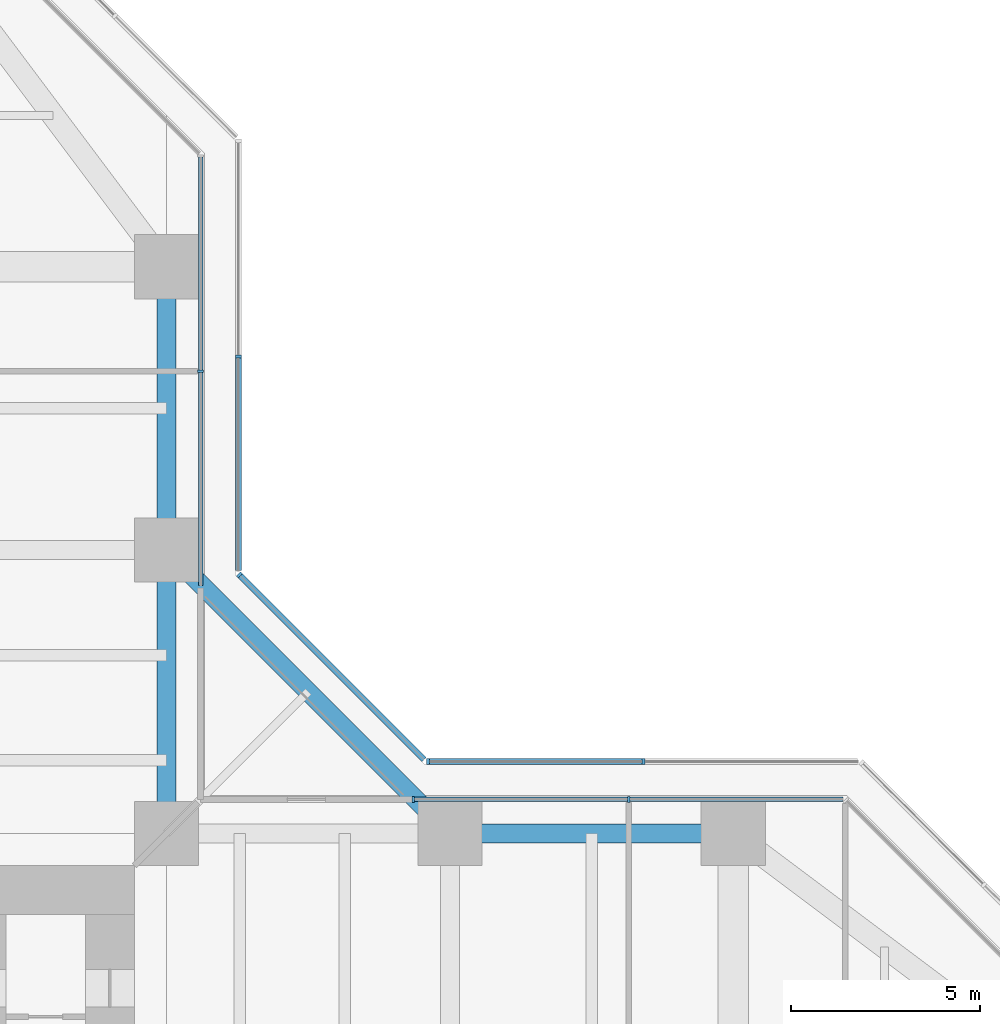
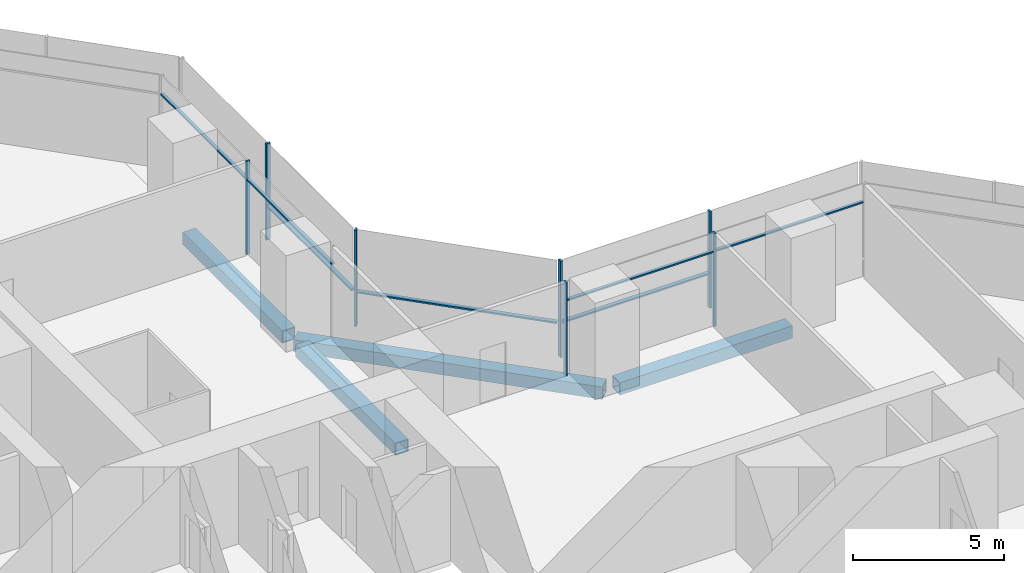
# One storey, part 11 of 22: 14 members, 4 beams, 5 elements without a shape of their own.
"""IFC4 building model written with IfcOpenShell, lengths in metres."""

from ifc_helpers import new_model, si_unit, direction, frame, origin, origin_2d, place, context, subcontext, project, spatial, rectangle, hollow_rectangle, extrude, material, material_profile, profile_set, type_object, element, aggregate, save


model = new_model("IFC4")

# Units and contexts
model_context = context("Model", 3, precision=1e-05, world=origin(), true_north=direction((0.0, 1.0)))
body_context = subcontext(model_context, "Body", "Model", "MODEL_VIEW")
ifc_project = project(units=[si_unit("LENGTHUNIT", "METRE"), si_unit("AREAUNIT", "SQUARE_METRE"), si_unit("VOLUMEUNIT", "CUBIC_METRE"), si_unit("PLANEANGLEUNIT", "RADIAN"), si_unit("MASSUNIT", "GRAM", prefix="KILO")], contexts=[model_context])

# Site, building, storey
site_placement = place(None, origin())
site = spatial("IfcSite", under=ifc_project, at=site_placement, CompositionType="ELEMENT")
building_placement = place(site_placement, origin())
building = spatial("IfcBuilding", under=site, at=building_placement, Name="Mizan Broadcast Tower", CompositionType="ELEMENT")
storey_placement = place(building_placement, frame((0.0, 0.0, 66.89990234375)))
storey = spatial("IfcBuildingStorey", under=building, at=storey_placement, Name="L13", CompositionType="ELEMENT", Elevation=66.89990234375)

# Beams
ifc_material_1 = material(Name="Steel S355", Category="steel")
ifc_material_profile_1 = material_profile(ifc_material_1, hollow_rectangle(XDim=0.5, YDim=0.5, WallThickness=0.030029296875, at=origin_2d()), Name="BOX 500x500x30")
ifc_profile_set_1 = profile_set([ifc_material_profile_1], Name="Steel S355")
beam_type = type_object("IfcBeamType", Name="EDGE BEAM BOX 500x500x30", PredefinedType="SPANDREL", material=ifc_profile_set_1)
for number, where, z_axis, x_axis, name in (
    (1, (19.949951171875, 12.0, -0.3798828125), (1.0, 0.0, 0.0), (0.0, 1.0, 0.0), "Edge beam BOX 500x500x30 L13 east arm"),
    (2, (12.0, 12.449951171875, -0.3798828125), (0.0, 1.0, 0.0), (-1.0, 0.0, 0.0), "Edge beam BOX 500x500x30 L13 north arm"),
    (3, (12.0, 19.949951171875, -0.3798828125), (0.0, 1.0, 0.0), (-1.0, 0.0, 0.0), "Edge beam BOX 500x500x30 L13 north arm"),
):
    element("IfcBeam", number, at=place(storey_placement, frame(where, z_axis=z_axis, x_axis=x_axis)), inside=storey, type_object=beam_type, Name=name, PredefinedType="SPANDREL", context=body_context, shape_type="SweptSolid", body=[
        extrude(hollow_rectangle(XDim=0.5, YDim=0.5, WallThickness=0.030029296875, at=origin_2d()), origin(), (0.0, 0.0, 1.0), 6.60009765625),
    ])
beam_placement = place(storey_placement, frame((19.5, 12.0, -0.3798828125), z_axis=(-0.707106781187, 0.707106781187, 0.0), x_axis=(-0.707106781187, -0.707106781187, 0.0)))
element("IfcBeam", 4, at=beam_placement, inside=storey, type_object=beam_type, Name="Winter garden edge beam L13 E", PredefinedType="SPANDREL", context=body_context, shape_type="SweptSolid", body=[
    extrude(hollow_rectangle(XDim=0.5, YDim=0.5, WallThickness=0.030029296875, at=origin_2d()), origin(), (0.0, 0.0, 1.0), 10.606689453125),
])

# Curtain wall, members
ifc_material_2 = material(Name="Aluminium framed glazing", Category="aluminium")
curtain_wall_type_1 = type_object("IfcCurtainWallType", Name="INNER SKIN LOW ZONE", PredefinedType="USERDEFINED", material=ifc_material_2)
curtain_wall_1_placement = place(storey_placement, origin())
curtain_wall_1 = element("IfcCurtainWall", 5, at=curtain_wall_1_placement, inside=storey, type_object=curtain_wall_type_1, Name="Inner skin low zone L13 E side", ObjectType="INNER SKIN LOW ZONE", PredefinedType="USERDEFINED")
ifc_material_3 = material(Name="Aluminium, pale anodised", Category="aluminium")
ifc_material_profile_2 = material_profile(ifc_material_3, rectangle(XDim=0.159912109375, YDim=0.06005859375, at=origin_2d()), Name="MULLION 160x60")
ifc_profile_set_2 = profile_set([ifc_material_profile_2], Name="Aluminium, pale anodised")
member_type_1 = type_object("IfcMemberType", Name="INNER SKIN MULLION 60x160", PredefinedType="MULLION", material=ifc_profile_set_2)
member_1_placement = place(storey_placement, frame((24.229248046875, 12.89990234375, 0.0), z_axis=(0.0, 0.0, 1.0), x_axis=(0.0, -1.0, 0.0)))
member_1 = element("IfcMember", 6, at=member_1_placement, type_object=member_type_1, Name="Inner skin low zone L13 E side mullion 2", PredefinedType="MULLION", context=body_context, shape_type="SweptSolid", body=[
    extrude(rectangle(XDim=0.159912109375, YDim=0.06005859375, at=origin_2d()), origin(), (0.0, 0.0, 1.0), 3.77001953125),
])
member_2_placement = place(storey_placement, frame((18.530029296875, 12.89990234375, 0.0), z_axis=(0.0, 0.0, 1.0), x_axis=(0.0, -1.0, 0.0)))
member_2 = element("IfcMember", 7, at=member_2_placement, type_object=member_type_1, Name="Inner skin low zone L13 E side mullion 3", PredefinedType="MULLION", context=body_context, shape_type="SweptSolid", body=[
    extrude(rectangle(XDim=0.159912109375, YDim=0.06005859375, at=origin_2d()), origin(), (0.0, 0.0, 1.0), 3.77001953125),
])

# Curtain wall, member
curtain_wall_2_placement = place(storey_placement, origin())
curtain_wall_2 = element("IfcCurtainWall", 8, at=curtain_wall_2_placement, inside=storey, type_object=curtain_wall_type_1, Name="Inner skin low zone L13 N side", ObjectType="INNER SKIN LOW ZONE", PredefinedType="USERDEFINED")
member_3_placement = place(storey_placement, frame((12.89990234375, 24.229248046875, 0.0), z_axis=(0.0, 0.0, 1.0), x_axis=(-1.0, 0.0, 0.0)))
member_3 = element("IfcMember", 9, at=member_3_placement, type_object=member_type_1, Name="Inner skin low zone L13 N side mullion 2", PredefinedType="MULLION", context=body_context, shape_type="SweptSolid", body=[
    extrude(rectangle(XDim=0.159912109375, YDim=0.06005859375, at=origin_2d()), origin(), (0.0, 0.0, 1.0), 3.77001953125),
])

# Member
ifc_material_4 = material(Name="Aluminium, pale anodised", Category="aluminium")
ifc_material_profile_3 = material_profile(ifc_material_4, rectangle(XDim=0.1201171875, YDim=0.06005859375, at=origin_2d()), Name="TRANSOM 120x60")
ifc_profile_set_3 = profile_set([ifc_material_profile_3], Name="Aluminium, pale anodised")
member_type_2 = type_object("IfcMemberType", Name="INNER SKIN TRANSOM 60x120", PredefinedType="USERDEFINED", material=ifc_profile_set_3)
member_4_placement = place(storey_placement, frame((29.898681640625, 12.89990234375, 3.030029296875), z_axis=(-1.0, 0.0, 0.0), x_axis=(0.0, -1.0, 0.0)))
member_4 = element("IfcMember", 10, at=member_4_placement, type_object=member_type_2, Name="Inner skin low zone L13 E side transom 1.1", ObjectType="TRANSOM", PredefinedType="USERDEFINED", context=body_context, shape_type="SweptSolid", body=[
    extrude(rectangle(XDim=0.1201171875, YDim=0.06005859375, at=origin_2d()), origin(), (0.0, 0.0, 1.0), 5.639404296875),
])

member_5_placement = place(storey_placement, frame((24.19921875, 12.89990234375, 3.030029296875), z_axis=(-1.0, 0.0, 0.0), x_axis=(0.0, -1.0, 0.0)))
member_5 = element("IfcMember", 11, at=member_5_placement, type_object=member_type_2, Name="Inner skin low zone L13 E side transom 2.1", ObjectType="TRANSOM", PredefinedType="USERDEFINED", context=body_context, shape_type="SweptSolid", body=[
    extrude(rectangle(XDim=0.1201171875, YDim=0.06005859375, at=origin_2d()), origin(), (0.0, 0.0, 1.0), 5.63916015625),
])

aggregate(curtain_wall_1, [member_1, member_2, member_4, member_5])

member_6_placement = place(storey_placement, frame((12.89990234375, 18.56005859375, 3.030029296875), z_axis=(0.0, 1.0, 0.0), x_axis=(-1.0, 0.0, 0.0)))
member_6 = element("IfcMember", 12, at=member_6_placement, type_object=member_type_2, Name="Inner skin low zone L13 N side transom 1.1", ObjectType="TRANSOM", PredefinedType="USERDEFINED", context=body_context, shape_type="SweptSolid", body=[
    extrude(rectangle(XDim=0.1201171875, YDim=0.06005859375, at=origin_2d()), origin(), (0.0, 0.0, 1.0), 5.63916015625),
])

member_7_placement = place(storey_placement, frame((12.89990234375, 24.25927734375, 3.030029296875), z_axis=(0.0, 1.0, 0.0), x_axis=(-1.0, 0.0, 0.0)))
member_7 = element("IfcMember", 13, at=member_7_placement, type_object=member_type_2, Name="Inner skin low zone L13 N side transom 2.1", ObjectType="TRANSOM", PredefinedType="USERDEFINED", context=body_context, shape_type="SweptSolid", body=[
    extrude(rectangle(XDim=0.1201171875, YDim=0.06005859375, at=origin_2d()), origin(), (0.0, 0.0, 1.0), 5.639404296875),
])

aggregate(curtain_wall_2, [member_3, member_6, member_7])

# Curtain wall, members
ifc_material_5 = material(Name="Aluminium framed glazing", Category="aluminium")
curtain_wall_type_2 = type_object("IfcCurtainWallType", Name="OUTER SKIN", PredefinedType="USERDEFINED", material=ifc_material_5)
curtain_wall_3_placement = place(storey_placement, origin())
curtain_wall_3 = element("IfcCurtainWall", 14, at=curtain_wall_3_placement, inside=storey, type_object=curtain_wall_type_2, Name="Outer skin L13 E side", ObjectType="OUTER SKIN", PredefinedType="USERDEFINED")
ifc_material_6 = material(Name="Aluminium, pale anodised", Category="aluminium")
ifc_material_profile_4 = material_profile(ifc_material_6, rectangle(XDim=0.159912109375, YDim=0.080078125, at=origin_2d()), Name="MULLION 160x80")
ifc_profile_set_4 = profile_set([ifc_material_profile_4], Name="Aluminium, pale anodised")
member_type_3 = type_object("IfcMemberType", Name="OUTER SKIN MULLION 80x160", PredefinedType="MULLION", material=ifc_profile_set_4)
member_8_placement = place(storey_placement, frame((24.622802734375, 13.89990234375, 0.0), z_axis=(0.0, 0.0, 1.0), x_axis=(0.0, -1.0, 0.0)))
member_8 = element("IfcMember", 15, at=member_8_placement, type_object=member_type_3, Name="Outer skin L13 E side mullion 2", PredefinedType="MULLION", context=body_context, shape_type="SweptSolid", body=[
    extrude(rectangle(XDim=0.159912109375, YDim=0.080078125, at=origin_2d()), origin(), (0.0, 0.0, 1.0), 3.900146484375),
])
member_9_placement = place(storey_placement, frame((18.912841796875, 13.89990234375, 0.0), z_axis=(0.0, 0.0, 1.0), x_axis=(0.0, -1.0, 0.0)))
member_9 = element("IfcMember", 16, at=member_9_placement, type_object=member_type_3, Name="Outer skin L13 E side mullion 3", PredefinedType="MULLION", context=body_context, shape_type="SweptSolid", body=[
    extrude(rectangle(XDim=0.159912109375, YDim=0.080078125, at=origin_2d()), origin(), (0.0, 0.0, 1.0), 3.900146484375),
])

# Curtain wall, member
curtain_wall_4_placement = place(storey_placement, origin())
curtain_wall_4 = element("IfcCurtainWall", 17, at=curtain_wall_4_placement, inside=storey, type_object=curtain_wall_type_2, Name="Outer skin L13 E chamfer", ObjectType="OUTER SKIN", PredefinedType="USERDEFINED")
member_10_placement = place(storey_placement, frame((13.92822265625, 18.844482421875, 0.0), z_axis=(0.0, 0.0, 1.0), x_axis=(-0.707106781187, -0.707106781187, 0.0)))
member_10 = element("IfcMember", 18, at=member_10_placement, type_object=member_type_3, Name="Outer skin L13 E chamfer mullion 2", PredefinedType="MULLION", context=body_context, shape_type="SweptSolid", body=[
    extrude(rectangle(XDim=0.159912109375, YDim=0.080078125, at=origin_2d()), origin(), (0.0, 0.0, 1.0), 3.900146484375),
])

curtain_wall_5_placement = place(storey_placement, origin())
curtain_wall_5 = element("IfcCurtainWall", 19, at=curtain_wall_5_placement, inside=storey, type_object=curtain_wall_type_2, Name="Outer skin L13 N side", ObjectType="OUTER SKIN", PredefinedType="USERDEFINED")
member_11_placement = place(storey_placement, frame((13.89990234375, 24.622802734375, 0.0), z_axis=(0.0, 0.0, 1.0), x_axis=(-1.0, 0.0, 0.0)))
member_11 = element("IfcMember", 20, at=member_11_placement, type_object=member_type_3, Name="Outer skin L13 N side mullion 2", PredefinedType="MULLION", context=body_context, shape_type="SweptSolid", body=[
    extrude(rectangle(XDim=0.159912109375, YDim=0.080078125, at=origin_2d()), origin(), (0.0, 0.0, 1.0), 3.900146484375),
])

# Member
ifc_material_7 = material(Name="Aluminium, pale anodised", Category="aluminium")
ifc_material_profile_5 = material_profile(ifc_material_7, rectangle(XDim=0.159912109375, YDim=0.06005859375, at=origin_2d()), Name="TRANSOM 160x60")
ifc_profile_set_5 = profile_set([ifc_material_profile_5], Name="Aluminium, pale anodised")
member_type_4 = type_object("IfcMemberType", Name="OUTER SKIN TRANSOM 60x160", PredefinedType="USERDEFINED", material=ifc_profile_set_5)
member_12_placement = place(storey_placement, frame((24.582763671875, 13.89990234375, 1.400146484375), z_axis=(-1.0, 0.0, 0.0), x_axis=(0.0, -1.0, 0.0)))
member_12 = element("IfcMember", 21, at=member_12_placement, type_object=member_type_4, Name="Outer skin L13 E side transom 2.1", ObjectType="TRANSOM", PredefinedType="USERDEFINED", context=body_context, shape_type="SweptSolid", body=[
    extrude(rectangle(XDim=0.159912109375, YDim=0.06005859375, at=origin_2d()), origin(), (0.0, 0.0, 1.0), 5.6298828125),
])

aggregate(curtain_wall_3, [member_8, member_9, member_12])

member_13_placement = place(storey_placement, frame((18.816162109375, 13.95654296875, 1.400146484375), z_axis=(-0.707106781187, 0.707106781187, 0.0), x_axis=(-0.707106781187, -0.707106781187, 0.0)))
member_13 = element("IfcMember", 22, at=member_13_placement, type_object=member_type_4, Name="Outer skin L13 E chamfer transom 1.1", ObjectType="TRANSOM", PredefinedType="USERDEFINED", context=body_context, shape_type="SweptSolid", body=[
    extrude(rectangle(XDim=0.159912109375, YDim=0.06005859375, at=origin_2d()), origin(), (0.0, 0.0, 1.0), 6.87255859375),
])

aggregate(curtain_wall_4, [member_10, member_13])

member_14_placement = place(storey_placement, frame((13.89990234375, 18.952880859375, 1.400146484375), z_axis=(0.0, 1.0, 0.0), x_axis=(-1.0, 0.0, 0.0)))
member_14 = element("IfcMember", 23, at=member_14_placement, type_object=member_type_4, Name="Outer skin L13 N side transom 1.1", ObjectType="TRANSOM", PredefinedType="USERDEFINED", context=body_context, shape_type="SweptSolid", body=[
    extrude(rectangle(XDim=0.159912109375, YDim=0.06005859375, at=origin_2d()), origin(), (0.0, 0.0, 1.0), 5.6298828125),
])

aggregate(curtain_wall_5, [member_11, member_14])

save(model, "model.ifc")
